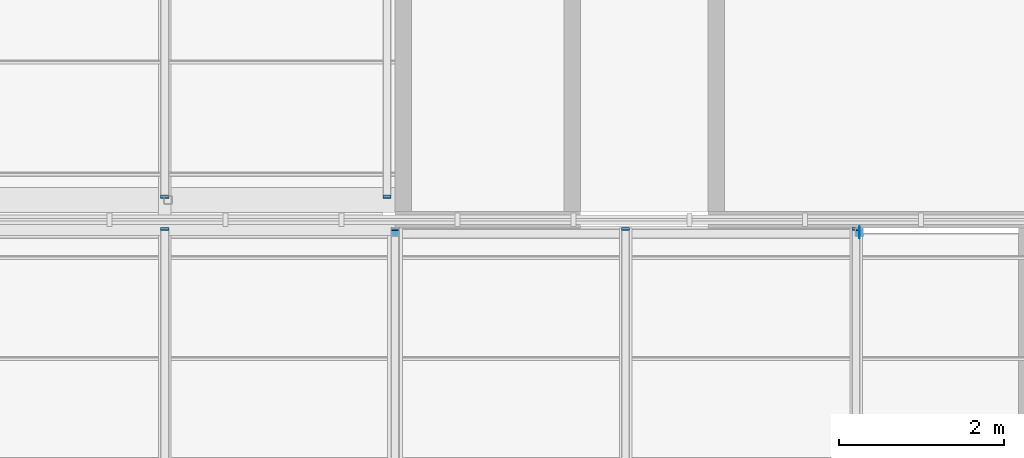
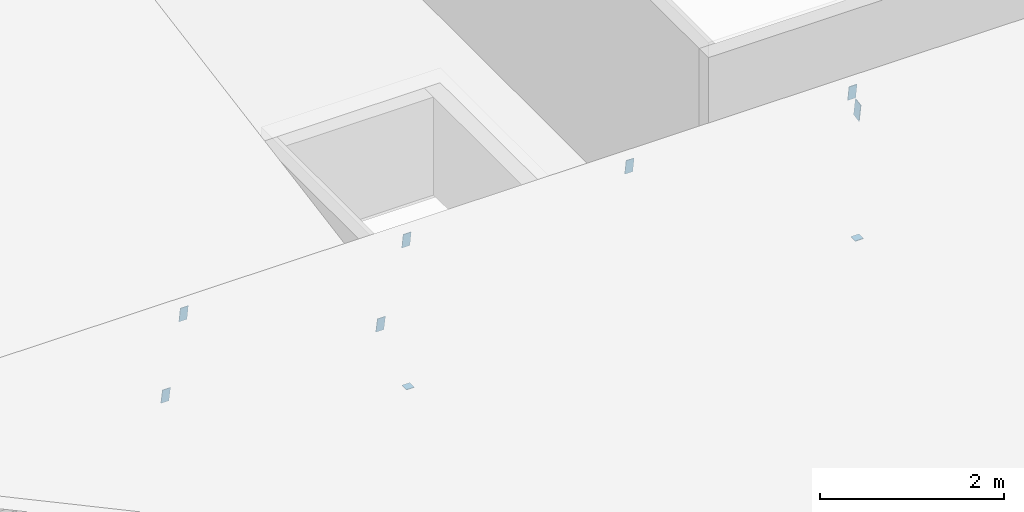
# One storey, part 37 of 42: 9 discrete accessories.
"""IFC4 building model written with IfcOpenShell, lengths in metres."""

from ifc_helpers import new_model, si_unit, direction, frame, origin, origin_2d, place, context, subcontext, project, spatial, rectangle, extrude, material, material_profile, profile_set, type_object, element, save


model = new_model("IFC4")

# Units and contexts
model_context = context("Model", 3, precision=1e-05, world=origin(), true_north=direction((0.0, 1.0)))
body_context = subcontext(model_context, "Body", "Model", "MODEL_VIEW")
ifc_project = project(units=[si_unit("LENGTHUNIT", "METRE"), si_unit("AREAUNIT", "SQUARE_METRE"), si_unit("VOLUMEUNIT", "CUBIC_METRE"), si_unit("PLANEANGLEUNIT", "RADIAN"), si_unit("MASSUNIT", "GRAM", prefix="KILO")], contexts=[model_context])

# Site, building, storey
site_placement = place(None, origin())
site = spatial("IfcSite", under=ifc_project, at=site_placement, CompositionType="ELEMENT")
building_placement = place(site_placement, origin())
building = spatial("IfcBuilding", under=site, at=building_placement, Name="Ardhachandra Cancer Care Centre", CompositionType="ELEMENT")
storey_placement = place(building_placement, frame((0.0, 0.0, 22.5)))
storey = spatial("IfcBuildingStorey", under=building, at=storey_placement, Name="L05", CompositionType="ELEMENT", Elevation=22.5)

# Discrete accessories
ifc_material_1 = material(Name="Galvanised flat steel (Steel E250 (IS 2062))", Category="steel")
ifc_material_profile_1 = material_profile(ifc_material_1, rectangle(XDim=0.10009765625, YDim=0.199951171875, at=origin_2d()), Name="Rafter end plate 200 x 100 x 8")
ifc_profile_set_1 = profile_set([ifc_material_profile_1], Name="Galvanised flat steel (Steel E250 (IS 2062))")
discrete_accessory_type_1 = type_object("IfcDiscreteAccessoryType", Name="Rafter end plate 200 x 100 x 8", PredefinedType="BRACKET", material=ifc_profile_set_1)
for number, where, z_axis, x_axis, name in (
    (1, (33.199951171875, 88.183837890625, 1.918701171875), (0.0, 0.988012033751, 0.154376880274), (-1.0, 0.0, 0.0), "Rafter end plate NT2a.9.2"),
    (2, (36.0, 88.183837890625, 1.918701171875), (0.0, 0.988012033751, 0.154376880274), (-1.0, 0.0, 0.0), "Rafter end plate NT2a.10.2"),
    (3, (38.800048828125, 88.183837890625, 1.918701171875), (0.0, 0.988012033751, 0.154376880274), (-1.0, 0.0, 0.0), "Rafter end plate NT2a.11.2"),
    (4, (41.60009765625, 88.183837890625, 1.918701171875), (0.0, 0.988012033751, 0.154376880274), (-1.0, 0.0, 0.0), "Rafter end plate NT2a.12.2"),
):
    element("IfcDiscreteAccessory", number, at=place(storey_placement, frame(where, z_axis=z_axis, x_axis=x_axis)), inside=storey, type_object=discrete_accessory_type_1, Name=name, PredefinedType="BRACKET", context=body_context, shape_type="SweptSolid", body=[
        extrude(rectangle(XDim=0.10009765625, YDim=0.199951171875, at=origin_2d()), origin(), (0.0, 0.0, 1.0), 0.0078125),
    ])
for number, where, z_axis, x_axis, name in (
    (5, (33.199951171875, 88.58251953125, 0.598388671875), (0.0, -0.9838699101, -0.1788854382), (1.0, 0.0, 0.0), "Rafter end plate NT3a.6.1"),
    (6, (35.89990234375, 88.58251953125, 0.598388671875), (0.0, -0.9838699101, -0.1788854382), (1.0, 0.0, 0.0), "Rafter end plate NT3a.7.1"),
):
    element("IfcDiscreteAccessory", number, at=place(storey_placement, frame(where, z_axis=z_axis, x_axis=x_axis)), inside=storey, type_object=discrete_accessory_type_1, Name=name, PredefinedType="BRACKET", context=body_context, shape_type="SweptSolid", body=[
        extrude(rectangle(XDim=0.10009765625, YDim=0.199951171875, at=origin_2d()), origin(), (0.0, 0.0, 1.0), 0.00830078125),
    ])
ifc_material_2 = material(Name="Galvanised flat steel (Steel E250 (IS 2062))", Category="steel")
ifc_material_profile_2 = material_profile(ifc_material_2, rectangle(XDim=0.1201171875, YDim=0.239990234375, at=origin_2d()), Name="Ridge beam end plate 240 x 120 x 8")
ifc_profile_set_2 = profile_set([ifc_material_profile_2], Name="Galvanised flat steel (Steel E250 (IS 2062))")
discrete_accessory_type_2 = type_object("IfcDiscreteAccessoryType", Name="Ridge beam end plate 240 x 120 x 8", PredefinedType="BRACKET", material=ifc_profile_set_2)
discrete_accessory_placement = place(storey_placement, frame((41.639892578125, 88.14990234375, 1.690185546875), z_axis=(1.0, 0.0, 0.0), x_axis=(0.0, 0.986659291142, 0.162798781332)))
element("IfcDiscreteAccessory", 7, at=discrete_accessory_placement, inside=storey, type_object=discrete_accessory_type_2, Name="Ridge beam end plate NT2a.2", PredefinedType="BRACKET", context=body_context, shape_type="SweptSolid", body=[
    extrude(rectangle(XDim=0.1201171875, YDim=0.239990234375, at=origin_2d()), origin(), (0.0, 0.0, 1.0), 0.008056640625),
])
ifc_material_3 = material(Name="Galvanised flat steel (Steel E250 (IS 2062))", Category="steel")
ifc_material_profile_3 = material_profile(ifc_material_3, rectangle(XDim=0.10009765625, YDim=0.10009765625, at=origin_2d()), Name="Ridge post foot plate 100 x 100 x 8")
ifc_profile_set_3 = profile_set([ifc_material_profile_3], Name="Galvanised flat steel (Steel E250 (IS 2062))")
discrete_accessory_type_3 = type_object("IfcDiscreteAccessoryType", Name="Ridge post foot plate 100 x 100 x 8", PredefinedType="BRACKET", material=ifc_profile_set_3)
for number, where, z_axis, x_axis, name in (
    (8, (36.0, 88.14990234375, 0.0), (0.0, 0.0, -1.0), (1.0, 0.0, 0.0), "Ridge post foot plate NT2a.4"),
    (9, (41.639892578125, 88.14990234375, 0.0), (0.0, 0.0, -1.0), (1.0, 0.0, 0.0), "Ridge post foot plate NT2a.5"),
):
    element("IfcDiscreteAccessory", number, at=place(storey_placement, frame(where, z_axis=z_axis, x_axis=x_axis)), inside=storey, type_object=discrete_accessory_type_3, Name=name, PredefinedType="BRACKET", context=body_context, shape_type="SweptSolid", body=[
        extrude(rectangle(XDim=0.10009765625, YDim=0.10009765625, at=origin_2d()), origin(), (0.0, 0.0, 1.0), 0.008056640625),
    ])

save(model, "model.ifc")
